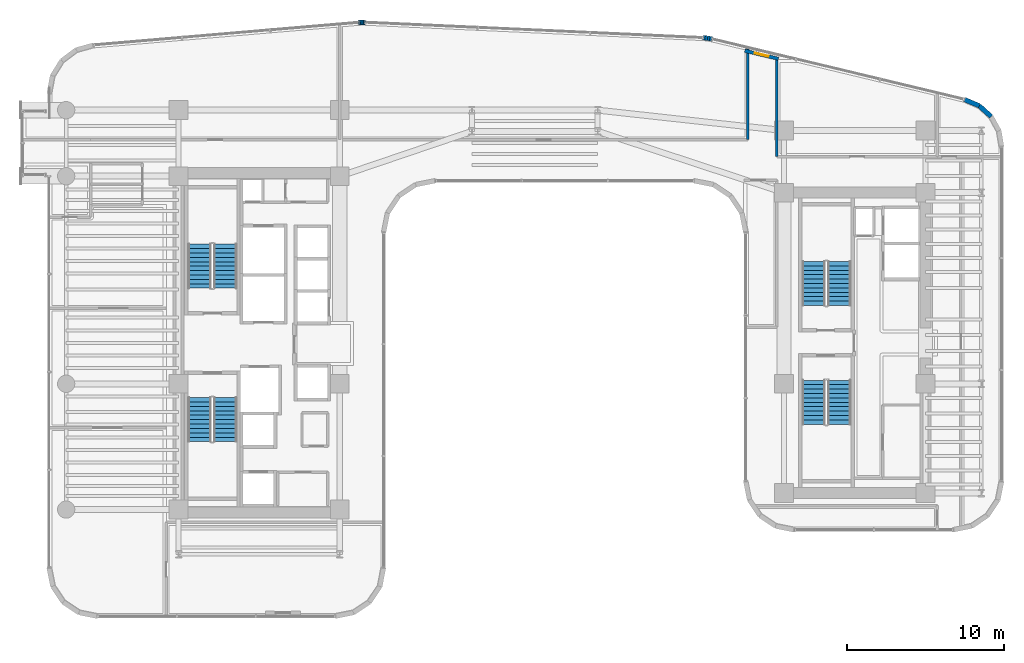
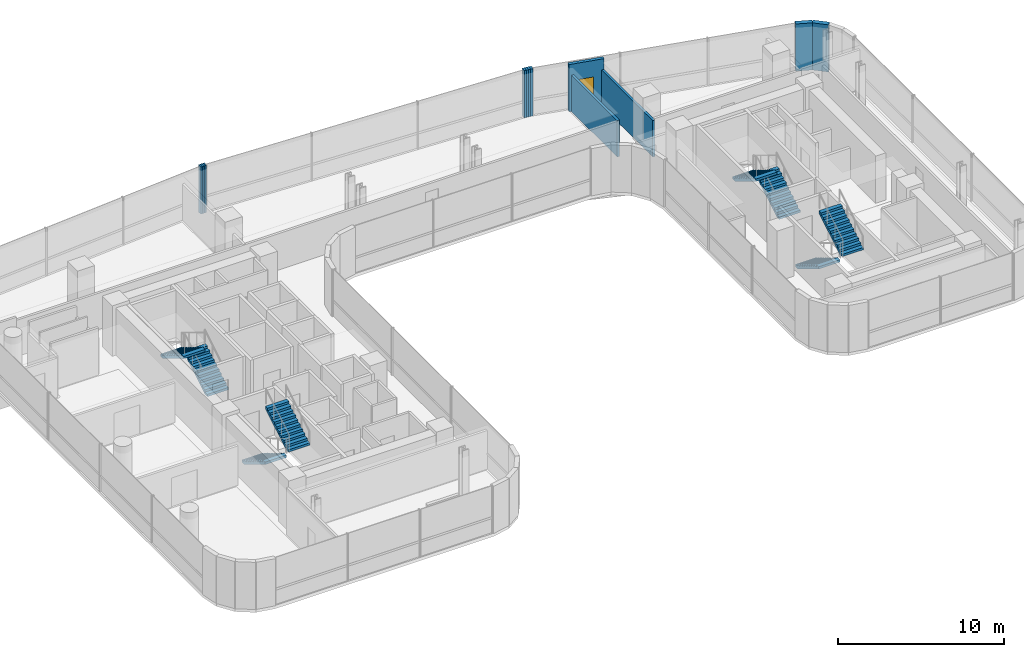
# One storey, part 30 of 34: 13 walls, 8 stair flights, 1 window, 1 opening, 4 elements without a shape of their own.
"""IFC4 building model written with IfcOpenShell, lengths in metres."""

from ifc_helpers import new_model, si_unit, direction, frame, frame_2d, origin, place, context, subcontext, project, spatial, polyline, rectangle, outline, extrude, material, layer, layer_set, type_object, element, fill, aggregate, save


model = new_model("IFC4")

# Units and contexts
model_context = context("Model", 3, precision=1e-05, world=origin(), true_north=direction((0.0, 1.0)))
body_context = subcontext(model_context, "Body", "Model", "MODEL_VIEW")
ifc_project = project(units=[si_unit("LENGTHUNIT", "METRE"), si_unit("AREAUNIT", "SQUARE_METRE"), si_unit("VOLUMEUNIT", "CUBIC_METRE"), si_unit("PLANEANGLEUNIT", "RADIAN"), si_unit("MASSUNIT", "GRAM", prefix="KILO")], contexts=[model_context])

# Site, building, storey
site_placement = place(None, origin())
site = spatial("IfcSite", under=ifc_project, at=site_placement, CompositionType="ELEMENT")
building_placement = place(site_placement, origin())
building = spatial("IfcBuilding", under=site, at=building_placement, Name="Valdorenza Pilgrim Sanctuary Tower", CompositionType="ELEMENT")
storey_placement = place(building_placement, frame((0.0, 0.0, 120.5)))
storey = spatial("IfcBuildingStorey", under=building, at=storey_placement, Name="L30", CompositionType="ELEMENT", Elevation=120.5)

# Walls
ifc_material_1 = material(Name="Acoustic twin-stud gypsum partition", Category="gypsum")
ifc_layer_1 = layer(ifc_material_1, 0.159912109375, Name="Acoustic twin-stud gypsum partition")
ifc_layer_set_1 = layer_set([ifc_layer_1], Name="Acoustic twin-stud gypsum partition")
wall_type_1 = type_object("IfcWallType", Name="WAL-COR-160", PredefinedType="PARTITIONING", material=ifc_layer_set_1)
wall_1_placement = place(storey_placement, frame((13.550048828125, 12.919921875, 0.0), z_axis=(0.0, 0.0, 1.0), x_axis=(0.0, 1.0, 0.0)))
element("IfcWall", 1, at=wall_1_placement, inside=storey, type_object=wall_type_1, Name="L30 North Band East Closure", PredefinedType="PARTITIONING", context=body_context, shape_type="SweptSolid", body=[
    extrude(rectangle(XDim=5.856689453125, YDim=0.159912109375, at=frame_2d((2.92822265625, 0.0))), origin(), (0.0, 0.0, 1.0), 2.666015625),
])
wall_2_placement = place(storey_placement, frame((15.39990234375, 11.85009765625, 0.0), z_axis=(0.0, 0.0, 1.0), x_axis=(0.0, 1.0, 0.0)))
element("IfcWall", 2, at=wall_2_placement, inside=storey, type_object=wall_type_1, Name="L30 Wing B North West Wall", PredefinedType="PARTITIONING", context=body_context, shape_type="SweptSolid", body=[
    extrude(rectangle(XDim=6.14990234375, YDim=0.159912109375, at=frame_2d((3.074951171875, 0.0))), origin(), (0.0, 0.0, 1.0), 2.666015625),
])
ifc_material_2 = material(Name="Honed travertine limestone", Category="masonry")
ifc_layer_2 = layer(ifc_material_2, 0.300048828125, Name="Honed travertine limestone")
ifc_layer_set_2 = layer_set([ifc_layer_2], Name="Honed travertine limestone")
wall_type_2 = type_object("IfcWallType", Name="WAL-EXT-300", PredefinedType="SOLIDWALL", material=ifc_layer_set_2)
wall_3_placement = place(storey_placement, frame((-11.199462890625, 20.37255859375, 0.0), z_axis=(0.0, 0.0, 1.0), x_axis=(0.997567332166, 0.069709524416, 0.0)))
element("IfcWall", 3, at=wall_3_placement, inside=storey, type_object=wall_type_2, Name="L30 Rounded Wind-Corner Stone Pier 7", PredefinedType="SOLIDWALL", context=body_context, shape_type="SweptSolid", body=[
    extrude(rectangle(XDim=0.1015625, YDim=0.300048828125, at=frame_2d((0.05078125, 0.0))), origin(), (0.0, 0.0, 1.0), 3.4599609375),
])
wall_4_placement = place(storey_placement, frame((-11.09814453125, 20.379638671875, 0.0), z_axis=(0.0, 0.0, 1.0), x_axis=(0.999334672785, 0.03647206835, 0.0)))
element("IfcWall", 4, at=wall_4_placement, inside=storey, type_object=wall_type_2, Name="L30 Rounded Wind-Corner Stone Pier 8", PredefinedType="SOLIDWALL", context=body_context, shape_type="SweptSolid", body=[
    extrude(rectangle(XDim=0.100341796875, YDim=0.300048828125, at=frame_2d((0.05029296875, 0.0))), origin(), (0.0, 0.0, 1.0), 3.4599609375),
])
wall_5_placement = place(storey_placement, frame((-10.997802734375, 20.38330078125, 0.0), z_axis=(0.0, 0.0, 1.0), x_axis=(0.999997054401, 0.002427177317, 0.0)))
element("IfcWall", 5, at=wall_5_placement, inside=storey, type_object=wall_type_2, Name="L30 Rounded Wind-Corner Stone Pier 9", PredefinedType="SOLIDWALL", context=body_context, shape_type="SweptSolid", body=[
    extrude(rectangle(XDim=0.1005859375, YDim=0.300048828125, at=frame_2d((0.05029296875, 0.0))), origin(), (0.0, 0.0, 1.0), 3.4599609375),
])
wall_6_placement = place(storey_placement, frame((-10.897216796875, 20.383544921875, 0.0), z_axis=(0.0, 0.0, 1.0), x_axis=(0.999584209171, -0.02883415988, 0.0)))
element("IfcWall", 6, at=wall_6_placement, inside=storey, type_object=wall_type_2, Name="L30 Rounded Wind-Corner Stone Pier 10", PredefinedType="SOLIDWALL", context=body_context, shape_type="SweptSolid", body=[
    extrude(rectangle(XDim=0.1015625, YDim=0.300048828125, at=frame_2d((0.05078125, 0.0))), origin(), (0.0, 0.0, 1.0), 3.4599609375),
])
wall_7_placement = place(storey_placement, frame((10.68994140625, 19.404052734375, 0.0), z_axis=(0.0, 0.0, 1.0), x_axis=(0.99758310784, -0.069483400546, 0.0)))
element("IfcWall", 7, at=wall_7_placement, inside=storey, type_object=wall_type_2, Name="L30 Rounded Wind-Corner Stone Pier 12", PredefinedType="SOLIDWALL", context=body_context, shape_type="SweptSolid", body=[
    extrude(rectangle(XDim=0.1474609375, YDim=0.300048828125, at=frame_2d((0.07373046875, 0.0))), origin(), (0.0, 0.0, 1.0), 3.4599609375),
])
for number, where, z_axis, x_axis, name in (
    (8, (10.837158203125, 19.393798828125, 0.0), (0.0, 0.0, 1.0), (0.993173334962, -0.116647874912, 0.0), "L30 Rounded Wind-Corner Stone Pier 13"),
    (9, (10.982666015625, 19.376708984375, 0.0), (0.0, 0.0, 1.0), (0.986573494681, -0.163317909592, 0.0), "L30 Rounded Wind-Corner Stone Pier 14"),
):
    element("IfcWall", number, at=place(storey_placement, frame(where, z_axis=z_axis, x_axis=x_axis)), inside=storey, type_object=wall_type_2, Name=name, PredefinedType="SOLIDWALL", context=body_context, shape_type="SweptSolid", body=[
        extrude(rectangle(XDim=0.146484375, YDim=0.300048828125, at=frame_2d((0.0732421875, 0.0))), origin(), (0.0, 0.0, 1.0), 3.4599609375),
    ])
wall_8_placement = place(storey_placement, frame((11.127197265625, 19.352783203125, 0.0), z_axis=(0.0, 0.0, 1.0), x_axis=(0.978019841688, -0.208511844421, 0.0)))
element("IfcWall", 10, at=wall_8_placement, inside=storey, type_object=wall_type_2, Name="L30 Rounded Wind-Corner Stone Pier 15", PredefinedType="SOLIDWALL", context=body_context, shape_type="SweptSolid", body=[
    extrude(rectangle(XDim=0.1474609375, YDim=0.300048828125, at=frame_2d((0.07373046875, 0.0))), origin(), (0.0, 0.0, 1.0), 3.4599609375),
])

# Wall, opening, window
wall_9_placement = place(storey_placement, frame((13.355224609375, 18.576416015625, 0.0), z_axis=(0.0, 0.0, 1.0), x_axis=(0.97252211384, -0.232810519721, 0.0)))
wall_9 = element("IfcWall", 11, at=wall_9_placement, inside=storey, type_object=wall_type_2, Name="L30 Operable Ventilation Sash Jamb Pier", PredefinedType="SOLIDWALL", context=body_context, shape_type="SweptSolid", body=[
    extrude(rectangle(XDim=2.2001953125, YDim=0.219970703125, at=frame_2d((1.10009765625, 0.0))), origin(), (0.0, 0.0, 1.0), 3.4599609375),
])
opening_placement = place(wall_9_placement, frame((0.64990234375, 0.0, 0.949951171875)))
opening = element("IfcOpeningElement", 12, at=opening_placement, cuts=wall_9, Name="Opening WN-OP1", PredefinedType="OPENING", context=body_context, shape_type="SweptSolid", body=[
    extrude(rectangle(XDim=0.89990234375, YDim=1.300048828125, at=frame_2d((0.449951171875, 0.64990234375))), frame((0.0, 0.125, 0.0), z_axis=(0.0, -1.0, 0.0), x_axis=(1.0, 0.0, 0.0)), (0.0, 0.0, 1.0), 0.249755859375),
])
ifc_material_3 = material(Name="Ceramic-fritted low-E IGU glazing", Category="glass")
window_type = type_object("IfcWindowType", Name="WIN-OPN-900", PartitioningType="SINGLE_PANEL", PredefinedType="WINDOW", material=ifc_material_3)
window_placement = place(opening_placement, origin())
window = element("IfcWindow", 13, at=window_placement, inside=storey, type_object=window_type, Name="L30 Parallel-Pop-Out Operable Facade Panel", OverallHeight=1.300048828125, OverallWidth=0.89990234375, PartitioningType="SINGLE_PANEL", PredefinedType="WINDOW", context=body_context, shape_type="SweptSolid", body=[
    extrude(rectangle(XDim=0.89990234375, YDim=1.300048828125, at=frame_2d((0.449951171875, 0.64990234375))), frame((0.0, 0.030029296875, 0.0), z_axis=(0.0, -1.0, 0.0), x_axis=(1.0, 0.0, 0.0)), (0.0, 0.0, 1.0), 0.06005859375),
])
fill(opening, window)

# Walls
wall_10_placement = place(storey_placement, frame((27.310302734375, 15.48291015625, 0.0), z_axis=(0.0, 0.0, 1.0), x_axis=(0.920250328759, -0.391330208927, 0.0)))
element("IfcWall", 14, at=wall_10_placement, inside=storey, type_object=wall_type_2, Name="L30 Rounded Wind-Corner Stone Pier 17", PredefinedType="SOLIDWALL", context=body_context, shape_type="SweptSolid", body=[
    extrude(rectangle(XDim=1.0361328125, YDim=0.300048828125, at=frame_2d((0.51806640625, 0.0))), origin(), (0.0, 0.0, 1.0), 3.4599609375),
])
wall_11_placement = place(storey_placement, frame((28.263916015625, 15.077392578125, 0.0), z_axis=(0.0, 0.0, 1.0), x_axis=(0.741208839713, -0.671274501178, 0.0)))
element("IfcWall", 15, at=wall_11_placement, inside=storey, type_object=wall_type_2, Name="L30 Rounded Wind-Corner Stone Pier 18", PredefinedType="SOLIDWALL", context=body_context, shape_type="SweptSolid", body=[
    extrude(rectangle(XDim=1.0263671875, YDim=0.300048828125, at=frame_2d((0.51318359375, 0.0))), origin(), (0.0, 0.0, 1.0), 3.4599609375),
])

# Stair, stair flights
ifc_material_4 = material(Name="Concrete C40/50", Category="concrete")
stair_type = type_object("IfcStairType", Name="STR-DOG-CORE", PredefinedType="HALF_TURN_STAIR", material=ifc_material_4)
stair_1_placement = place(storey_placement, origin())
stair_1 = element("IfcStair", 16, at=stair_1_placement, inside=storey, type_object=stair_type, Name="L30 ST-A1", PredefinedType="HALF_TURN_STAIR")
stair_flight_type = type_object("IfcStairFlightType", Name="STF-RC-1400", PredefinedType="STRAIGHT", material=ifc_material_4)
stair_flight_1_placement = place(storey_placement, frame((-19.679931640625, 3.47998046875, 0.0), z_axis=(0.0, 0.0, 1.0), x_axis=(0.0, 1.0, 0.0)))
stair_flight_1 = element("IfcStairFlight", 17, at=stair_flight_1_placement, type_object=stair_flight_type, Name="ST-A1 flight 1", NumberOfRisers=11, NumberOfTreads=10, PredefinedType="STRAIGHT", RiserHeight=0.168181818, TreadLength=0.28, context=body_context, shape_type="SweptSolid", body=[
    extrude(outline(polyline([(0.0, 0.0), (0.0, 0.168212890625), (0.280029296875, 0.168212890625), (0.280029296875, 0.33642578125), (0.56005859375, 0.33642578125), (0.56005859375, 0.504638671875), (0.840087890625, 0.504638671875), (0.840087890625, 0.672607421875), (1.1201171875, 0.672607421875), (1.1201171875, 0.8408203125), (1.39990234375, 0.8408203125), (1.39990234375, 1.009033203125), (1.679931640625, 1.009033203125), (1.679931640625, 1.17724609375), (1.9599609375, 1.17724609375), (1.9599609375, 1.345458984375), (2.239990234375, 1.345458984375), (2.239990234375, 1.513671875), (2.52001953125, 1.513671875), (2.52001953125, 1.681884765625), (2.800048828125, 1.681884765625), (2.800048828125, 1.85009765625), (2.800048828125, 1.5068359375), (0.291015625, 0.0), (0.0, 0.0)])), frame((0.0, 0.739990234375, 0.0), z_axis=(0.0, -1.0, 0.0), x_axis=(1.0, 0.0, 0.0)), (0.0, 0.0, 1.0), 1.47998046875),
])
stair_flight_2_placement = place(storey_placement, frame((-21.31005859375, 6.280029296875, 1.85009765625), z_axis=(0.0, 0.0, 1.0), x_axis=(0.0, -1.0, 0.0)))
stair_flight_2 = element("IfcStairFlight", 18, at=stair_flight_2_placement, type_object=stair_flight_type, Name="ST-A1 flight 2", NumberOfRisers=11, NumberOfTreads=10, PredefinedType="STRAIGHT", RiserHeight=0.168181818, TreadLength=0.28, context=body_context, shape_type="SweptSolid", body=[
    extrude(outline(polyline([(0.0, 0.0), (0.0, 0.168212890625), (0.280029296875, 0.168212890625), (0.280029296875, 0.33642578125), (0.56005859375, 0.33642578125), (0.56005859375, 0.504638671875), (0.840087890625, 0.504638671875), (0.840087890625, 0.672607421875), (1.1201171875, 0.672607421875), (1.1201171875, 0.8408203125), (1.39990234375, 0.8408203125), (1.39990234375, 1.009033203125), (1.679931640625, 1.009033203125), (1.679931640625, 1.17724609375), (1.9599609375, 1.17724609375), (1.9599609375, 1.345458984375), (2.239990234375, 1.345458984375), (2.239990234375, 1.513671875), (2.52001953125, 1.513671875), (2.52001953125, 1.681884765625), (2.800048828125, 1.681884765625), (2.800048828125, 1.85009765625), (2.800048828125, 1.5068359375), (0.291015625, 0.0), (0.0, 0.0)])), frame((0.0, 0.739990234375, 0.0), z_axis=(0.0, -1.0, 0.0), x_axis=(1.0, 0.0, 0.0)), (0.0, 0.0, 1.0), 1.47998046875),
])
aggregate(stair_1, [stair_flight_1, stair_flight_2])

stair_2_placement = place(storey_placement, origin())
stair_2 = element("IfcStair", 19, at=stair_2_placement, inside=storey, type_object=stair_type, Name="L30 ST-A2", PredefinedType="HALF_TURN_STAIR")
stair_flight_3_placement = place(storey_placement, frame((-21.31005859375, -3.47998046875, 0.0), z_axis=(0.0, 0.0, 1.0), x_axis=(0.0, -1.0, 0.0)))
stair_flight_3 = element("IfcStairFlight", 20, at=stair_flight_3_placement, type_object=stair_flight_type, Name="ST-A2 flight 1", NumberOfRisers=11, NumberOfTreads=10, PredefinedType="STRAIGHT", RiserHeight=0.168181818, TreadLength=0.28, context=body_context, shape_type="SweptSolid", body=[
    extrude(outline(polyline([(0.0, 0.0), (0.0, 0.168212890625), (0.280029296875, 0.168212890625), (0.280029296875, 0.33642578125), (0.56005859375, 0.33642578125), (0.56005859375, 0.504638671875), (0.840087890625, 0.504638671875), (0.840087890625, 0.672607421875), (1.1201171875, 0.672607421875), (1.1201171875, 0.8408203125), (1.39990234375, 0.8408203125), (1.39990234375, 1.009033203125), (1.679931640625, 1.009033203125), (1.679931640625, 1.17724609375), (1.9599609375, 1.17724609375), (1.9599609375, 1.345458984375), (2.239990234375, 1.345458984375), (2.239990234375, 1.513671875), (2.52001953125, 1.513671875), (2.52001953125, 1.681884765625), (2.800048828125, 1.681884765625), (2.800048828125, 1.85009765625), (2.800048828125, 1.5068359375), (0.291015625, 0.0), (0.0, 0.0)])), frame((0.0, 0.739990234375, 0.0), z_axis=(0.0, -1.0, 0.0), x_axis=(1.0, 0.0, 0.0)), (0.0, 0.0, 1.0), 1.47998046875),
])
stair_flight_4_placement = place(storey_placement, frame((-19.679931640625, -6.280029296875, 1.85009765625), z_axis=(0.0, 0.0, 1.0), x_axis=(0.0, 1.0, 0.0)))
stair_flight_4 = element("IfcStairFlight", 21, at=stair_flight_4_placement, type_object=stair_flight_type, Name="ST-A2 flight 2", NumberOfRisers=11, NumberOfTreads=10, PredefinedType="STRAIGHT", RiserHeight=0.168181818, TreadLength=0.28, context=body_context, shape_type="SweptSolid", body=[
    extrude(outline(polyline([(0.0, 0.0), (0.0, 0.168212890625), (0.280029296875, 0.168212890625), (0.280029296875, 0.33642578125), (0.56005859375, 0.33642578125), (0.56005859375, 0.504638671875), (0.840087890625, 0.504638671875), (0.840087890625, 0.672607421875), (1.1201171875, 0.672607421875), (1.1201171875, 0.8408203125), (1.39990234375, 0.8408203125), (1.39990234375, 1.009033203125), (1.679931640625, 1.009033203125), (1.679931640625, 1.17724609375), (1.9599609375, 1.17724609375), (1.9599609375, 1.345458984375), (2.239990234375, 1.345458984375), (2.239990234375, 1.513671875), (2.52001953125, 1.513671875), (2.52001953125, 1.681884765625), (2.800048828125, 1.681884765625), (2.800048828125, 1.85009765625), (2.800048828125, 1.5068359375), (0.291015625, 0.0), (0.0, 0.0)])), frame((0.0, 0.739990234375, 0.0), z_axis=(0.0, -1.0, 0.0), x_axis=(1.0, 0.0, 0.0)), (0.0, 0.0, 1.0), 1.47998046875),
])
aggregate(stair_2, [stair_flight_3, stair_flight_4])

stair_3_placement = place(storey_placement, origin())
stair_3 = element("IfcStair", 22, at=stair_3_placement, inside=storey, type_object=stair_type, Name="L30 ST-B1", PredefinedType="HALF_TURN_STAIR")
stair_flight_5_placement = place(storey_placement, frame((19.3701171875, 2.3798828125, 0.0), z_axis=(0.0, 0.0, 1.0), x_axis=(0.0, 1.0, 0.0)))
stair_flight_5 = element("IfcStairFlight", 23, at=stair_flight_5_placement, type_object=stair_flight_type, Name="ST-B1 flight 1", NumberOfRisers=11, NumberOfTreads=10, PredefinedType="STRAIGHT", RiserHeight=0.168181818, TreadLength=0.28, context=body_context, shape_type="SweptSolid", body=[
    extrude(outline(polyline([(0.0, 0.0), (0.0, 0.168212890625), (0.280029296875, 0.168212890625), (0.280029296875, 0.33642578125), (0.56005859375, 0.33642578125), (0.56005859375, 0.504638671875), (0.840087890625, 0.504638671875), (0.840087890625, 0.672607421875), (1.1201171875, 0.672607421875), (1.1201171875, 0.8408203125), (1.39990234375, 0.8408203125), (1.39990234375, 1.009033203125), (1.679931640625, 1.009033203125), (1.679931640625, 1.17724609375), (1.9599609375, 1.17724609375), (1.9599609375, 1.345458984375), (2.239990234375, 1.345458984375), (2.239990234375, 1.513671875), (2.52001953125, 1.513671875), (2.52001953125, 1.681884765625), (2.800048828125, 1.681884765625), (2.800048828125, 1.85009765625), (2.800048828125, 1.5068359375), (0.291015625, 0.0), (0.0, 0.0)])), frame((0.0, 0.739990234375, 0.0), z_axis=(0.0, -1.0, 0.0), x_axis=(1.0, 0.0, 0.0)), (0.0, 0.0, 1.0), 1.47998046875),
])
stair_flight_6_placement = place(storey_placement, frame((17.739990234375, 5.179931640625, 1.85009765625), z_axis=(0.0, 0.0, 1.0), x_axis=(0.0, -1.0, 0.0)))
stair_flight_6 = element("IfcStairFlight", 24, at=stair_flight_6_placement, type_object=stair_flight_type, Name="ST-B1 flight 2", NumberOfRisers=11, NumberOfTreads=10, PredefinedType="STRAIGHT", RiserHeight=0.168181818, TreadLength=0.28, context=body_context, shape_type="SweptSolid", body=[
    extrude(outline(polyline([(0.0, 0.0), (0.0, 0.168212890625), (0.280029296875, 0.168212890625), (0.280029296875, 0.33642578125), (0.56005859375, 0.33642578125), (0.56005859375, 0.504638671875), (0.840087890625, 0.504638671875), (0.840087890625, 0.672607421875), (1.1201171875, 0.672607421875), (1.1201171875, 0.8408203125), (1.39990234375, 0.8408203125), (1.39990234375, 1.009033203125), (1.679931640625, 1.009033203125), (1.679931640625, 1.17724609375), (1.9599609375, 1.17724609375), (1.9599609375, 1.345458984375), (2.239990234375, 1.345458984375), (2.239990234375, 1.513671875), (2.52001953125, 1.513671875), (2.52001953125, 1.681884765625), (2.800048828125, 1.681884765625), (2.800048828125, 1.85009765625), (2.800048828125, 1.5068359375), (0.291015625, 0.0), (0.0, 0.0)])), frame((0.0, 0.739990234375, 0.0), z_axis=(0.0, -1.0, 0.0), x_axis=(1.0, 0.0, 0.0)), (0.0, 0.0, 1.0), 1.47998046875),
])
aggregate(stair_3, [stair_flight_5, stair_flight_6])

stair_4_placement = place(storey_placement, origin())
stair_4 = element("IfcStair", 25, at=stair_4_placement, inside=storey, type_object=stair_type, Name="L30 ST-B2", PredefinedType="HALF_TURN_STAIR")
stair_flight_7_placement = place(storey_placement, frame((17.739990234375, -2.3798828125, 0.0), z_axis=(0.0, 0.0, 1.0), x_axis=(0.0, -1.0, 0.0)))
stair_flight_7 = element("IfcStairFlight", 26, at=stair_flight_7_placement, type_object=stair_flight_type, Name="ST-B2 flight 1", NumberOfRisers=11, NumberOfTreads=10, PredefinedType="STRAIGHT", RiserHeight=0.168181818, TreadLength=0.28, context=body_context, shape_type="SweptSolid", body=[
    extrude(outline(polyline([(0.0, 0.0), (0.0, 0.168212890625), (0.280029296875, 0.168212890625), (0.280029296875, 0.33642578125), (0.56005859375, 0.33642578125), (0.56005859375, 0.504638671875), (0.840087890625, 0.504638671875), (0.840087890625, 0.672607421875), (1.1201171875, 0.672607421875), (1.1201171875, 0.8408203125), (1.39990234375, 0.8408203125), (1.39990234375, 1.009033203125), (1.679931640625, 1.009033203125), (1.679931640625, 1.17724609375), (1.9599609375, 1.17724609375), (1.9599609375, 1.345458984375), (2.239990234375, 1.345458984375), (2.239990234375, 1.513671875), (2.52001953125, 1.513671875), (2.52001953125, 1.681884765625), (2.800048828125, 1.681884765625), (2.800048828125, 1.85009765625), (2.800048828125, 1.5068359375), (0.291015625, 0.0), (0.0, 0.0)])), frame((0.0, 0.739990234375, 0.0), z_axis=(0.0, -1.0, 0.0), x_axis=(1.0, 0.0, 0.0)), (0.0, 0.0, 1.0), 1.47998046875),
])
stair_flight_8_placement = place(storey_placement, frame((19.3701171875, -5.179931640625, 1.85009765625), z_axis=(0.0, 0.0, 1.0), x_axis=(0.0, 1.0, 0.0)))
stair_flight_8 = element("IfcStairFlight", 27, at=stair_flight_8_placement, type_object=stair_flight_type, Name="ST-B2 flight 2", NumberOfRisers=11, NumberOfTreads=10, PredefinedType="STRAIGHT", RiserHeight=0.168181818, TreadLength=0.28, context=body_context, shape_type="SweptSolid", body=[
    extrude(outline(polyline([(0.0, 0.0), (0.0, 0.168212890625), (0.280029296875, 0.168212890625), (0.280029296875, 0.33642578125), (0.56005859375, 0.33642578125), (0.56005859375, 0.504638671875), (0.840087890625, 0.504638671875), (0.840087890625, 0.672607421875), (1.1201171875, 0.672607421875), (1.1201171875, 0.8408203125), (1.39990234375, 0.8408203125), (1.39990234375, 1.009033203125), (1.679931640625, 1.009033203125), (1.679931640625, 1.17724609375), (1.9599609375, 1.17724609375), (1.9599609375, 1.345458984375), (2.239990234375, 1.345458984375), (2.239990234375, 1.513671875), (2.52001953125, 1.513671875), (2.52001953125, 1.681884765625), (2.800048828125, 1.681884765625), (2.800048828125, 1.85009765625), (2.800048828125, 1.5068359375), (0.291015625, 0.0), (0.0, 0.0)])), frame((0.0, 0.739990234375, 0.0), z_axis=(0.0, -1.0, 0.0), x_axis=(1.0, 0.0, 0.0)), (0.0, 0.0, 1.0), 1.47998046875),
])
aggregate(stair_4, [stair_flight_7, stair_flight_8])

save(model, "model.ifc")
